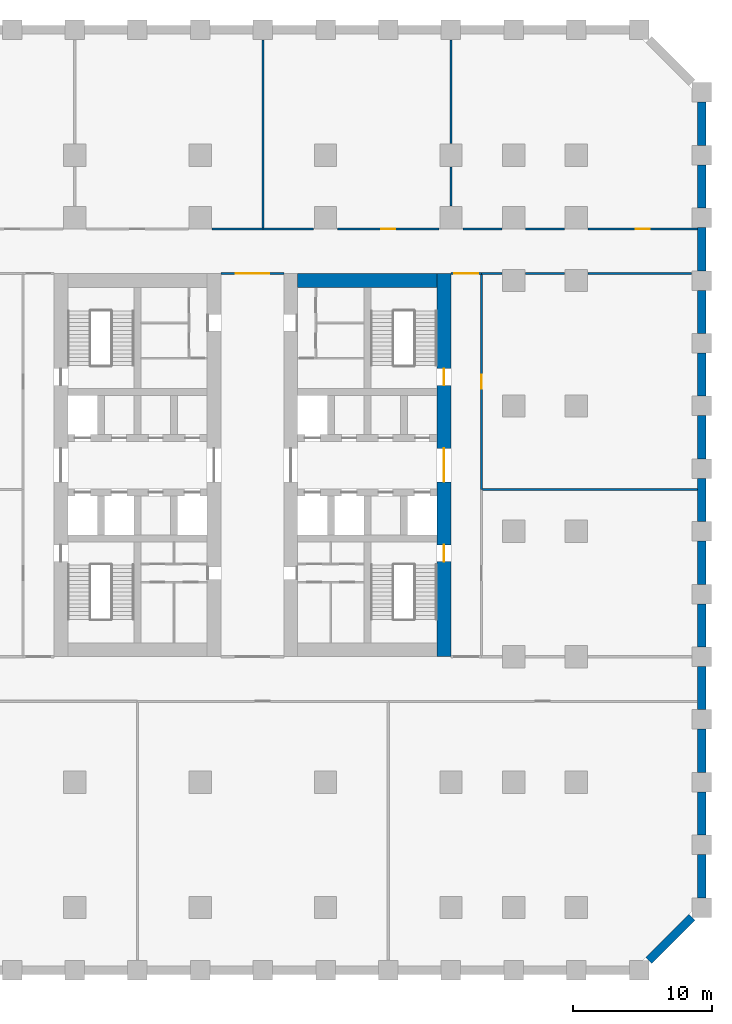
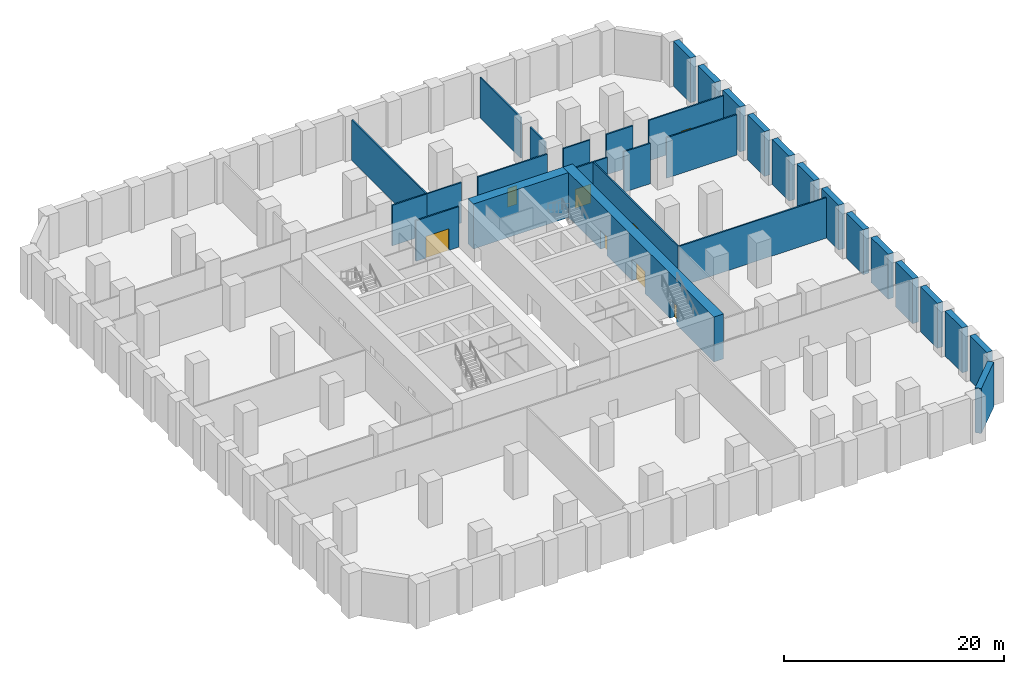
# One storey, part 5 of 7: 32 walls, 8 doors, 8 openings.
"""IFC4 building model written with IfcOpenShell, lengths in metres."""

from ifc_helpers import new_model, si_unit, direction, frame, frame_2d, origin, place, context, subcontext, project, spatial, rectangle, extrude, material, layer, layer_set, type_object, element, fill, save


model = new_model("IFC4")

# Units and contexts
model_context = context("Model", 3, precision=1e-05, world=origin(), true_north=direction((0.0, 1.0)))
body_context = subcontext(model_context, "Body", "Model", "MODEL_VIEW")
ifc_project = project(units=[si_unit("LENGTHUNIT", "METRE"), si_unit("AREAUNIT", "SQUARE_METRE"), si_unit("VOLUMEUNIT", "CUBIC_METRE"), si_unit("PLANEANGLEUNIT", "RADIAN"), si_unit("MASSUNIT", "GRAM", prefix="KILO")], contexts=[model_context])

# Site, building, storey
site_placement = place(None, origin())
site = spatial("IfcSite", under=ifc_project, at=site_placement, CompositionType="ELEMENT")
building_placement = place(site_placement, origin())
building = spatial("IfcBuilding", under=site, at=building_placement, Name="Corbel Stack Research Tower", CompositionType="ELEMENT")
storey_placement = place(building_placement, frame((0.0, 0.0, -5.0)))
storey = spatial("IfcBuildingStorey", under=building, at=storey_placement, Name="B1", CompositionType="ELEMENT", Elevation=-5.0)

# Walls
ifc_material_1 = material(Name="Concrete C45/55", Category="concrete")
ifc_layer_1 = layer(ifc_material_1, 0.60009765625)
ifc_layer_set_1 = layer_set([ifc_layer_1], Name="Concrete C45/55")
wall_type_1 = type_object("IfcWallType", Name="BW-600", PredefinedType="SOLIDWALL", material=ifc_layer_set_1)
wall_1_placement = place(storey_placement, frame((32.199951171875, -30.800048828125, 0.0), z_axis=(0.0, 0.0, 1.0), x_axis=(0.707106781187, 0.707106781187, 0.0)))
element("IfcWall", 1, at=wall_1_placement, inside=storey, type_object=wall_type_1, Name="Basement wall B1", PredefinedType="SOLIDWALL", context=body_context, shape_type="SweptSolid", body=[
    extrude(rectangle(XDim=4.38427734375, YDim=0.60009765625, at=frame_2d((2.192138671875, 0.0))), origin(), (0.0, 0.0, 1.0), 5.0),
])
for number, where, z_axis, x_axis, name in (
    (2, (36.0, -26.300048828125, 0.0), (0.0, 0.0, 1.0), (0.0, 1.0, 0.0), "Basement wall B1"),
    (3, (36.0, -21.800048828125, 0.0), (0.0, 0.0, 1.0), (0.0, 1.0, 0.0), "Basement wall B1"),
    (4, (36.0, -17.300048828125, 0.0), (0.0, 0.0, 1.0), (0.0, 1.0, 0.0), "Basement wall B1"),
    (5, (36.0, -12.800048828125, 0.0), (0.0, 0.0, 1.0), (0.0, 1.0, 0.0), "Basement wall B1"),
    (6, (36.0, -8.300048828125, 0.0), (0.0, 0.0, 1.0), (0.0, 1.0, 0.0), "Basement wall B1"),
    (7, (36.0, -3.800048828125, 0.0), (0.0, 0.0, 1.0), (0.0, 1.0, 0.0), "Basement wall B1"),
    (8, (36.0, 0.699951171875, 0.0), (0.0, 0.0, 1.0), (0.0, 1.0, 0.0), "Basement wall B1"),
    (9, (36.0, 5.199951171875, 0.0), (0.0, 0.0, 1.0), (0.0, 1.0, 0.0), "Basement wall B1"),
    (10, (36.0, 9.699951171875, 0.0), (0.0, 0.0, 1.0), (0.0, 1.0, 0.0), "Basement wall B1"),
    (11, (36.0, 14.199951171875, 0.0), (0.0, 0.0, 1.0), (0.0, 1.0, 0.0), "Basement wall B1"),
    (12, (36.0, 18.699951171875, 0.0), (0.0, 0.0, 1.0), (0.0, 1.0, 0.0), "Basement wall B1"),
    (13, (36.0, 23.199951171875, 0.0), (0.0, 0.0, 1.0), (0.0, 1.0, 0.0), "Basement wall B1"),
    (14, (36.0, 27.699951171875, 0.0), (0.0, 0.0, 1.0), (0.0, 1.0, 0.0), "Basement wall B1"),
):
    element("IfcWall", number, at=place(storey_placement, frame(where, z_axis=z_axis, x_axis=x_axis)), inside=storey, type_object=wall_type_1, Name=name, PredefinedType="SOLIDWALL", context=body_context, shape_type="SweptSolid", body=[
        extrude(rectangle(XDim=3.10009765625, YDim=0.60009765625, at=frame_2d((1.550048828125, 0.0))), origin(), (0.0, 0.0, 1.0), 5.0),
    ])

# Wall, opening, door
ifc_material_2 = material(Name="Concrete block", Category="concrete")
ifc_layer_2 = layer(ifc_material_2, 0.14990234375)
ifc_layer_set_2 = layer_set([ifc_layer_2], Name="Concrete block")
wall_type_2 = type_object("IfcWallType", Name="Base partition 150 B1", PredefinedType="PARTITIONING", material=ifc_layer_set_2)
wall_2_placement = place(storey_placement, frame((18.0, 18.5, 0.0), z_axis=(0.0, 0.0, 1.0), x_axis=(1.0, 0.0, 0.0)))
wall_2 = element("IfcWall", 15, at=wall_2_placement, inside=storey, type_object=wall_type_2, Name="Partition B1", PredefinedType="PARTITIONING", context=body_context, shape_type="SweptSolid", body=[
    extrude(rectangle(XDim=2.199951171875, YDim=0.14990234375, at=frame_2d((1.10009765625, 0.0))), origin(), (0.0, 0.0, 1.0), 4.5),
])
opening_1_placement = place(wall_2_placement, frame((0.25, 0.0, 0.0)))
opening_1 = element("IfcOpeningElement", 16, at=opening_1_placement, cuts=wall_2, Name="Opening BD-B1-15", PredefinedType="OPENING", context=body_context, shape_type="SweptSolid", body=[
    extrude(rectangle(XDim=1.699951171875, YDim=2.10009765625, at=frame_2d((0.85009765625, 1.050048828125))), frame((0.0, 0.0849609375, 0.0), z_axis=(0.0, -1.0, 0.0), x_axis=(1.0, 0.0, 0.0)), (0.0, 0.0, 1.0), 0.169921875),
])
ifc_material_3 = material(Name="Painted steel fire door", Category="steel")
door_type_1 = type_object("IfcDoorType", Name="Lobby door pair 1700 x 2100 FD30S", OperationType="DOUBLE_DOOR_DOUBLE_SWING", PredefinedType="DOOR", material=ifc_material_3)
door_1_placement = place(opening_1_placement, origin())
door_1 = element("IfcDoor", 17, at=door_1_placement, inside=storey, type_object=door_type_1, Name="Stair vestibule east to Plant corridor north opening", OperationType="DOUBLE_DOOR_DOUBLE_SWING", OverallHeight=2.10009765625, OverallWidth=1.699951171875, PredefinedType="DOOR", context=body_context, shape_type="SweptSolid", body=[
    extrude(rectangle(XDim=1.699951171875, YDim=2.10009765625, at=frame_2d((0.85009765625, 1.050048828125))), frame((0.0, 0.02490234375, 0.0), z_axis=(0.0, -1.0, 0.0), x_axis=(1.0, 0.0, 0.0)), (0.0, 0.0, 1.0), 0.050048828125),
])
fill(opening_1, door_1)

wall_3_placement = place(storey_placement, frame((20.199951171875, 3.0, 0.0), z_axis=(0.0, 0.0, 1.0), x_axis=(0.0, 1.0, 0.0)))
wall_3 = element("IfcWall", 18, at=wall_3_placement, inside=storey, type_object=wall_type_2, Name="Partition B1", PredefinedType="PARTITIONING", context=body_context, shape_type="SweptSolid", body=[
    extrude(rectangle(XDim=15.5, YDim=0.14990234375, at=frame_2d((7.75, 0.0))), origin(), (0.0, 0.0, 1.0), 4.5),
])
opening_2_placement = place(wall_3_placement, frame((7.25, 0.0, 0.0)))
opening_2 = element("IfcOpeningElement", 19, at=opening_2_placement, cuts=wall_3, Name="Opening BD-B1-07", PredefinedType="OPENING", context=body_context, shape_type="SweptSolid", body=[
    extrude(rectangle(XDim=1.0, YDim=2.10009765625, at=frame_2d((0.5, 1.050048828125))), frame((0.0, 0.0849609375, 0.0), z_axis=(0.0, -1.0, 0.0), x_axis=(1.0, 0.0, 0.0)), (0.0, 0.0, 1.0), 0.169921875),
])
ifc_material_4 = material(Name="Painted steel door", Category="steel")
door_type_2 = type_object("IfcDoorType", Name="Riser door 1000 x 2100 FD60 left hand", OperationType="SINGLE_SWING_LEFT", PredefinedType="DOOR", material=ifc_material_4)
door_2_placement = place(opening_2_placement, origin())
door_2 = element("IfcDoor", 20, at=door_2_placement, inside=storey, type_object=door_type_2, Name="Emergency generator room door", OperationType="SINGLE_SWING_LEFT", OverallHeight=2.10009765625, OverallWidth=1.0, PredefinedType="DOOR", context=body_context, shape_type="SweptSolid", body=[
    extrude(rectangle(XDim=1.0, YDim=2.10009765625, at=frame_2d((0.5, 1.050048828125))), frame((0.0, 0.02490234375, 0.0), z_axis=(0.0, -1.0, 0.0), x_axis=(1.0, 0.0, 0.0)), (0.0, 0.0, 1.0), 0.050048828125),
])
fill(opening_2, door_2)

wall_4_placement = place(storey_placement, frame((1.5, 18.5, 0.0), z_axis=(0.0, 0.0, 1.0), x_axis=(1.0, 0.0, 0.0)))
wall_4 = element("IfcWall", 21, at=wall_4_placement, inside=storey, type_object=wall_type_2, Name="Partition B1", PredefinedType="PARTITIONING", context=body_context, shape_type="SweptSolid", body=[
    extrude(rectangle(XDim=4.5, YDim=0.14990234375, at=frame_2d((2.25, 0.0))), origin(), (0.0, 0.0, 1.0), 4.5),
])
opening_3_placement = place(wall_4_placement, frame((1.050048828125, 0.0, 0.0)))
opening_3 = element("IfcOpeningElement", 22, at=opening_3_placement, cuts=wall_4, Name="Opening BD-B1-17", PredefinedType="OPENING", context=body_context, shape_type="SweptSolid", body=[
    extrude(rectangle(XDim=2.39990234375, YDim=2.39990234375, at=frame_2d((1.199951171875, 1.199951171875))), frame((0.0, 0.0849609375, 0.0), z_axis=(0.0, -1.0, 0.0), x_axis=(1.0, 0.0, 0.0)), (0.0, 0.0, 1.0), 0.169921875),
])
ifc_material_5 = material(Name="Painted steel fire door", Category="steel")
door_type_3 = type_object("IfcDoorType", Name="Lobby door pair 2400 x 2400 FD30S", OperationType="DOUBLE_DOOR_DOUBLE_SWING", PredefinedType="DOOR", material=ifc_material_5)
door_3_placement = place(opening_3_placement, origin())
door_3 = element("IfcDoor", 23, at=door_3_placement, inside=storey, type_object=door_type_3, Name="Central circulation to Plant corridor north opening", OperationType="DOUBLE_DOOR_DOUBLE_SWING", OverallHeight=2.39990234375, OverallWidth=2.39990234375, PredefinedType="DOOR", context=body_context, shape_type="SweptSolid", body=[
    extrude(rectangle(XDim=2.39990234375, YDim=2.39990234375, at=frame_2d((1.199951171875, 1.199951171875))), frame((0.0, 0.02490234375, 0.0), z_axis=(0.0, -1.0, 0.0), x_axis=(1.0, 0.0, 0.0)), (0.0, 0.0, 1.0), 0.050048828125),
])
fill(opening_3, door_3)

# Walls
wall_5_placement = place(storey_placement, frame((20.199951171875, 18.5, 0.0), z_axis=(0.0, 0.0, 1.0), x_axis=(1.0, 0.0, 0.0)))
element("IfcWall", 24, at=wall_5_placement, inside=storey, type_object=wall_type_2, Name="Partition B1", PredefinedType="PARTITIONING", context=body_context, shape_type="SweptSolid", body=[
    extrude(rectangle(XDim=1.449951171875, YDim=0.14990234375, at=frame_2d((0.72509765625, 0.0))), origin(), (0.0, 0.0, 1.0), 4.5),
])
wall_6_placement = place(storey_placement, frame((23.35009765625, 18.5, 0.0), z_axis=(0.0, 0.0, 1.0), x_axis=(1.0, 0.0, 0.0)))
element("IfcWall", 25, at=wall_6_placement, inside=storey, type_object=wall_type_2, Name="Partition B1", PredefinedType="PARTITIONING", context=body_context, shape_type="SweptSolid", body=[
    extrude(rectangle(XDim=2.7998046875, YDim=0.14990234375, at=frame_2d((1.39990234375, 0.0))), origin(), (0.0, 0.0, 1.0), 4.5),
])
wall_7_placement = place(storey_placement, frame((27.85009765625, 18.5, 0.0), z_axis=(0.0, 0.0, 1.0), x_axis=(1.0, 0.0, 0.0)))
element("IfcWall", 26, at=wall_7_placement, inside=storey, type_object=wall_type_2, Name="Partition B1", PredefinedType="PARTITIONING", context=body_context, shape_type="SweptSolid", body=[
    extrude(rectangle(XDim=7.39990234375, YDim=0.14990234375, at=frame_2d((3.699951171875, 0.0))), origin(), (0.0, 0.0, 1.0), 4.5),
])
wall_8_placement = place(storey_placement, frame((0.85009765625, 21.699951171875, 0.0), z_axis=(0.0, 0.0, 1.0), x_axis=(1.0, 0.0, 0.0)))
element("IfcWall", 27, at=wall_8_placement, inside=storey, type_object=wall_type_2, Name="Partition B1", PredefinedType="PARTITIONING", context=body_context, shape_type="SweptSolid", body=[
    extrude(rectangle(XDim=3.64990234375, YDim=0.14990234375, at=frame_2d((1.824951171875, 0.0))), origin(), (0.0, 0.0, 1.0), 4.5),
])

# Wall, opening, door
wall_9_placement = place(storey_placement, frame((9.85009765625, 21.699951171875, 0.0), z_axis=(0.0, 0.0, 1.0), x_axis=(1.0, 0.0, 0.0)))
wall_9 = element("IfcWall", 28, at=wall_9_placement, inside=storey, type_object=wall_type_2, Name="Partition B1", PredefinedType="PARTITIONING", context=body_context, shape_type="SweptSolid", body=[
    extrude(rectangle(XDim=7.2998046875, YDim=0.14990234375, at=frame_2d((3.64990234375, 0.0))), origin(), (0.0, 0.0, 1.0), 4.5),
])
opening_4_placement = place(wall_9_placement, frame((3.14990234375, 0.0, 0.0)))
opening_4 = element("IfcOpeningElement", 29, at=opening_4_placement, cuts=wall_9, Name="Opening BD-B1-10", PredefinedType="OPENING", context=body_context, shape_type="SweptSolid", body=[
    extrude(rectangle(XDim=1.0, YDim=2.10009765625, at=frame_2d((0.5, 1.050048828125))), frame((0.0, 0.0849609375, 0.0), z_axis=(0.0, -1.0, 0.0), x_axis=(1.0, 0.0, 0.0)), (0.0, 0.0, 1.0), 0.169921875),
])
ifc_material_6 = material(Name="Painted steel door", Category="steel")
door_type_4 = type_object("IfcDoorType", Name="Riser door 1000 x 2100 FD90 right hand", OperationType="SINGLE_SWING_RIGHT", PredefinedType="DOOR", material=ifc_material_6)
door_4_placement = place(opening_4_placement, origin())
door_4 = element("IfcDoor", 30, at=door_4_placement, inside=storey, type_object=door_type_4, Name="Hazardous materials store (control area) door", OperationType="SINGLE_SWING_RIGHT", OverallHeight=2.10009765625, OverallWidth=1.0, PredefinedType="DOOR", context=body_context, shape_type="SweptSolid", body=[
    extrude(rectangle(XDim=1.0, YDim=2.10009765625, at=frame_2d((0.5, 1.050048828125))), frame((0.0, 0.02490234375, 0.0), z_axis=(0.0, -1.0, 0.0), x_axis=(1.0, 0.0, 0.0)), (0.0, 0.0, 1.0), 0.050048828125),
])
fill(opening_4, door_4)

# Wall
wall_10_placement = place(storey_placement, frame((4.5, 21.699951171875, 0.0), z_axis=(0.0, 0.0, 1.0), x_axis=(1.0, 0.0, 0.0)))
element("IfcWall", 31, at=wall_10_placement, inside=storey, type_object=wall_type_2, Name="Partition B1", PredefinedType="PARTITIONING", context=body_context, shape_type="SweptSolid", body=[
    extrude(rectangle(XDim=3.64990234375, YDim=0.14990234375, at=frame_2d((1.824951171875, 0.0))), origin(), (0.0, 0.0, 1.0), 4.5),
])

# Wall, opening, door
wall_11_placement = place(storey_placement, frame((27.85009765625, 21.699951171875, 0.0), z_axis=(0.0, 0.0, 1.0), x_axis=(1.0, 0.0, 0.0)))
wall_11 = element("IfcWall", 32, at=wall_11_placement, inside=storey, type_object=wall_type_2, Name="Partition B1", PredefinedType="PARTITIONING", context=body_context, shape_type="SweptSolid", body=[
    extrude(rectangle(XDim=7.849853515625, YDim=0.14990234375, at=frame_2d((3.9248046875, 0.0))), origin(), (0.0, 0.0, 1.0), 4.5),
])
opening_5_placement = place(wall_11_placement, frame((3.425048828125, 0.0, 0.0)))
opening_5 = element("IfcOpeningElement", 33, at=opening_5_placement, cuts=wall_11, Name="Opening BD-B1-11", PredefinedType="OPENING", context=body_context, shape_type="SweptSolid", body=[
    extrude(rectangle(XDim=1.0, YDim=2.10009765625, at=frame_2d((0.5, 1.050048828125))), frame((0.0, 0.0849609375, 0.0), z_axis=(0.0, -1.0, 0.0), x_axis=(1.0, 0.0, 0.0)), (0.0, 0.0, 1.0), 0.169921875),
])
ifc_material_7 = material(Name="Painted steel door", Category="steel")
door_type_5 = type_object("IfcDoorType", Name="Service door 1000 x 2100 FD60 left hand", OperationType="SINGLE_SWING_LEFT", PredefinedType="DOOR", material=ifc_material_7)
door_5_placement = place(opening_5_placement, origin())
door_5 = element("IfcDoor", 34, at=door_5_placement, inside=storey, type_object=door_type_5, Name="Laboratory support store door", OperationType="SINGLE_SWING_LEFT", OverallHeight=2.10009765625, OverallWidth=1.0, PredefinedType="DOOR", context=body_context, shape_type="SweptSolid", body=[
    extrude(rectangle(XDim=1.0, YDim=2.10009765625, at=frame_2d((0.5, 1.050048828125))), frame((0.0, 0.02490234375, 0.0), z_axis=(0.0, -1.0, 0.0), x_axis=(1.0, 0.0, 0.0)), (0.0, 0.0, 1.0), 0.050048828125),
])
fill(opening_5, door_5)

# Walls
for number, where, z_axis, x_axis, name in (
    (35, (23.35009765625, 21.699951171875, 0.0), (0.0, 0.0, 1.0), (1.0, 0.0, 0.0), "Partition B1"),
    (36, (18.85009765625, 21.699951171875, 0.0), (0.0, 0.0, 1.0), (1.0, 0.0, 0.0), "Partition B1"),
):
    element("IfcWall", number, at=place(storey_placement, frame(where, z_axis=z_axis, x_axis=x_axis)), inside=storey, type_object=wall_type_2, Name=name, PredefinedType="PARTITIONING", context=body_context, shape_type="SweptSolid", body=[
        extrude(rectangle(XDim=2.7998046875, YDim=0.14990234375, at=frame_2d((1.39990234375, 0.0))), origin(), (0.0, 0.0, 1.0), 4.5),
    ])
wall_12_placement = place(storey_placement, frame((20.199951171875, 3.0, 0.0), z_axis=(0.0, 0.0, 1.0), x_axis=(1.0, 0.0, 0.0)))
element("IfcWall", 37, at=wall_12_placement, inside=storey, type_object=wall_type_2, Name="Partition B1", PredefinedType="PARTITIONING", context=body_context, shape_type="SweptSolid", body=[
    extrude(rectangle(XDim=15.5, YDim=0.14990234375, at=frame_2d((7.75, 0.0))), origin(), (0.0, 0.0, 1.0), 4.5),
])
wall_13_placement = place(storey_placement, frame((4.5, 21.699951171875, 0.0), z_axis=(0.0, 0.0, 1.0), x_axis=(0.0, 1.0, 0.0)))
element("IfcWall", 38, at=wall_13_placement, inside=storey, type_object=wall_type_2, Name="Partition B1", PredefinedType="PARTITIONING", context=body_context, shape_type="SweptSolid", body=[
    extrude(rectangle(XDim=13.550048828125, YDim=0.14990234375, at=frame_2d((6.77490234375, 0.0))), origin(), (0.0, 0.0, 1.0), 4.5),
])
wall_14_placement = place(storey_placement, frame((18.0, 23.35009765625, 0.0), z_axis=(0.0, 0.0, 1.0), x_axis=(0.0, 1.0, 0.0)))
element("IfcWall", 39, at=wall_14_placement, inside=storey, type_object=wall_type_2, Name="Partition B1", PredefinedType="PARTITIONING", context=body_context, shape_type="SweptSolid", body=[
    extrude(rectangle(XDim=2.7998046875, YDim=0.14990234375, at=frame_2d((1.39990234375, 0.0))), origin(), (0.0, 0.0, 1.0), 4.5),
])
wall_15_placement = place(storey_placement, frame((18.0, 27.85009765625, 0.0), z_axis=(0.0, 0.0, 1.0), x_axis=(0.0, 1.0, 0.0)))
element("IfcWall", 40, at=wall_15_placement, inside=storey, type_object=wall_type_2, Name="Partition B1", PredefinedType="PARTITIONING", context=body_context, shape_type="SweptSolid", body=[
    extrude(rectangle(XDim=7.39990234375, YDim=0.14990234375, at=frame_2d((3.699951171875, 0.0))), origin(), (0.0, 0.0, 1.0), 4.5),
])

# Wall, openings, doors
ifc_material_8 = material(Name="Concrete C70/85", Category="concrete")
ifc_layer_3 = layer(ifc_material_8, 1.0)
ifc_layer_set_3 = layer_set([ifc_layer_3], Name="Concrete C70/85")
wall_type_3 = type_object("IfcWallType", Name="CW-1000-70", PredefinedType="SHEAR", material=ifc_layer_set_3)
wall_16_placement = place(storey_placement, frame((17.5, -9.0, 0.0), z_axis=(0.0, 0.0, 1.0), x_axis=(0.0, 1.0, 0.0)))
wall_16 = element("IfcWall", 41, at=wall_16_placement, inside=storey, type_object=wall_type_3, Name="East core wall, east face B1", PredefinedType="SHEAR", context=body_context, shape_type="SweptSolid", body=[
    extrude(rectangle(XDim=27.5, YDim=1.0, at=frame_2d((13.75, 0.0))), origin(), (0.0, 0.0, 1.0), 5.0),
])
opening_6_placement = place(wall_16_placement, frame((12.550048828125, 0.0, 0.0)))
opening_6 = element("IfcOpeningElement", 42, at=opening_6_placement, cuts=wall_16, Name="Opening CD-E-E", PredefinedType="OPENING", context=body_context, shape_type="SweptSolid", body=[
    extrude(rectangle(XDim=2.39990234375, YDim=2.39990234375, at=frame_2d((1.199951171875, 1.199951171875))), frame((0.0, 0.510009765625, 0.0), z_axis=(0.0, -1.0, 0.0), x_axis=(1.0, 0.0, 0.0)), (0.0, 0.0, 1.0), 1.02001953125),
])
opening_7_placement = place(wall_16_placement, frame((6.824951171875, 0.0, 0.0)))
opening_7 = element("IfcOpeningElement", 43, at=opening_7_placement, cuts=wall_16, Name="Opening SD-ST-E1", PredefinedType="OPENING", context=body_context, shape_type="SweptSolid", body=[
    extrude(rectangle(XDim=1.199951171875, YDim=2.10009765625, at=frame_2d((0.60009765625, 1.050048828125))), frame((0.0, 0.510009765625, 0.0), z_axis=(0.0, -1.0, 0.0), x_axis=(1.0, 0.0, 0.0)), (0.0, 0.0, 1.0), 1.02001953125),
])
opening_8_placement = place(wall_16_placement, frame((19.47509765625, 0.0, 0.0)))
opening_8 = element("IfcOpeningElement", 44, at=opening_8_placement, cuts=wall_16, Name="Opening SD-ST-E2", PredefinedType="OPENING", context=body_context, shape_type="SweptSolid", body=[
    extrude(rectangle(XDim=1.199951171875, YDim=2.10009765625, at=frame_2d((0.60009765625, 1.050048828125))), frame((0.0, 0.510009765625, 0.0), z_axis=(0.0, -1.0, 0.0), x_axis=(1.0, 0.0, 0.0)), (0.0, 0.0, 1.0), 1.02001953125),
])
door_6_placement = place(opening_6_placement, origin())
door_6 = element("IfcDoor", 45, at=door_6_placement, inside=storey, type_object=door_type_3, Name="Lift lobby door E core E", OperationType="DOUBLE_DOOR_DOUBLE_SWING", OverallHeight=2.39990234375, OverallWidth=2.39990234375, PredefinedType="DOOR", context=body_context, shape_type="SweptSolid", body=[
    extrude(rectangle(XDim=2.39990234375, YDim=2.39990234375, at=frame_2d((1.199951171875, 1.199951171875))), frame((0.0, 0.02490234375, 0.0), z_axis=(0.0, -1.0, 0.0), x_axis=(1.0, 0.0, 0.0)), (0.0, 0.0, 1.0), 0.050048828125),
])
fill(opening_6, door_6)
ifc_material_9 = material(Name="Painted steel fire door", Category="steel")
door_type_6 = type_object("IfcDoorType", Name="Stair door 1200 x 2100 FD90 right hand", OperationType="SINGLE_SWING_RIGHT", PredefinedType="DOOR", material=ifc_material_9)
door_7_placement = place(opening_7_placement, frame((1.199951171875, 0.0, 0.0), z_axis=(0.0, 0.0, 1.0), x_axis=(-1.0, 0.0, 0.0)))
door_7 = element("IfcDoor", 46, at=door_7_placement, inside=storey, type_object=door_type_6, Name="Stair door ST-E1", OperationType="SINGLE_SWING_LEFT", OverallHeight=2.10009765625, OverallWidth=1.199951171875, PredefinedType="DOOR", context=body_context, shape_type="SweptSolid", body=[
    extrude(rectangle(XDim=1.199951171875, YDim=2.10009765625, at=frame_2d((0.60009765625, 1.050048828125))), frame((0.0, 0.02490234375, 0.0), z_axis=(0.0, -1.0, 0.0), x_axis=(1.0, 0.0, 0.0)), (0.0, 0.0, 1.0), 0.050048828125),
])
fill(opening_7, door_7)
door_8_placement = place(opening_8_placement, frame((1.199951171875, 0.0, 0.0), z_axis=(0.0, 0.0, 1.0), x_axis=(-1.0, 0.0, 0.0)))
door_8 = element("IfcDoor", 47, at=door_8_placement, inside=storey, type_object=door_type_6, Name="Stair door ST-E2", OperationType="SINGLE_SWING_LEFT", OverallHeight=2.10009765625, OverallWidth=1.199951171875, PredefinedType="DOOR", context=body_context, shape_type="SweptSolid", body=[
    extrude(rectangle(XDim=1.199951171875, YDim=2.10009765625, at=frame_2d((0.60009765625, 1.050048828125))), frame((0.0, 0.02490234375, 0.0), z_axis=(0.0, -1.0, 0.0), x_axis=(1.0, 0.0, 0.0)), (0.0, 0.0, 1.0), 0.050048828125),
])
fill(opening_8, door_8)

# Wall
wall_17_placement = place(storey_placement, frame((7.0, 18.0, 0.0), z_axis=(0.0, 0.0, 1.0), x_axis=(1.0, 0.0, 0.0)))
element("IfcWall", 48, at=wall_17_placement, inside=storey, type_object=wall_type_3, Name="East core wall, north end B1", PredefinedType="SHEAR", context=body_context, shape_type="SweptSolid", body=[
    extrude(rectangle(XDim=10.0, YDim=1.0, at=frame_2d((5.0, 0.0))), origin(), (0.0, 0.0, 1.0), 5.0),
])

save(model, "model.ifc")
